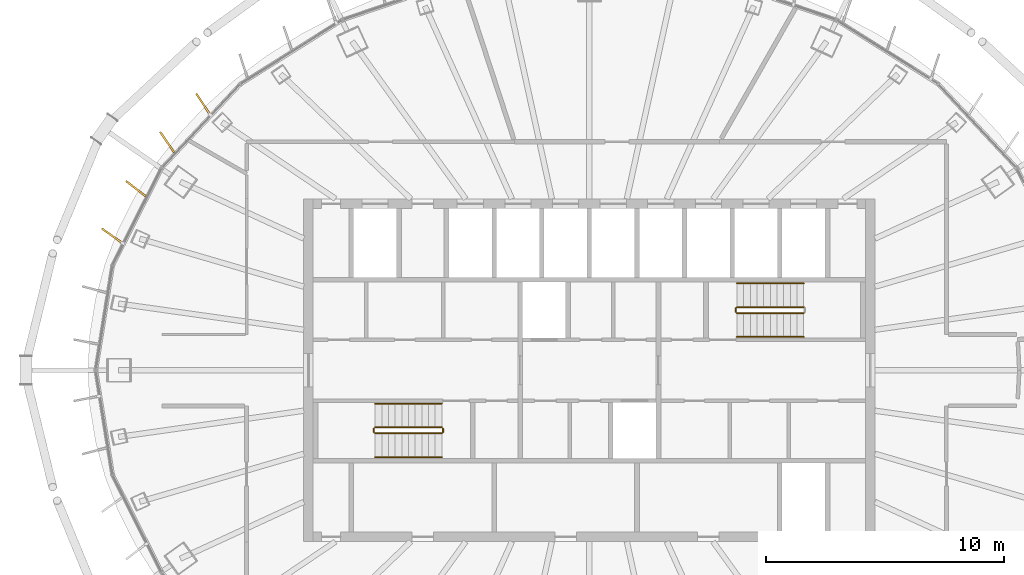
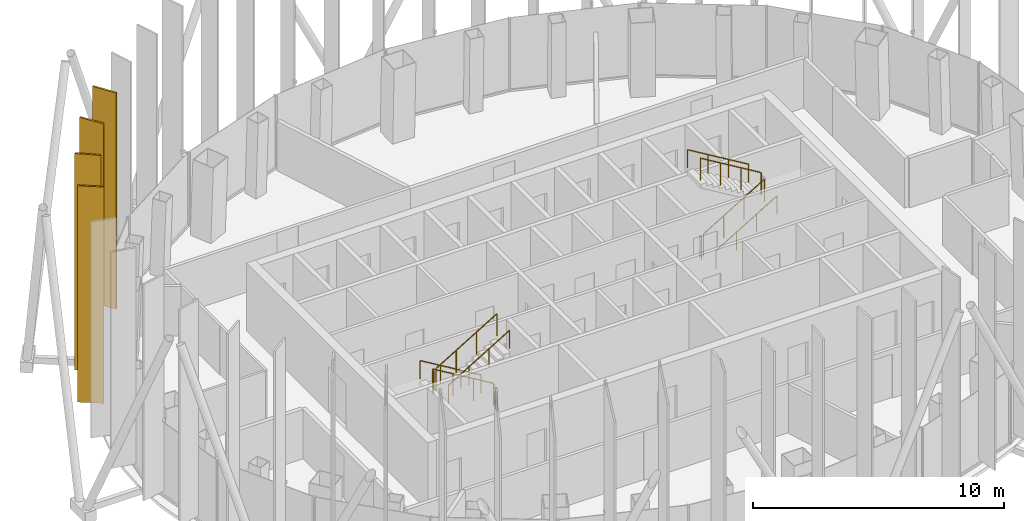
# One storey, part 17 of 19: 11 railings, 4 shading devices.
"""IFC4 building model written with IfcOpenShell, lengths in metres."""

from ifc_helpers import new_model, si_unit, direction, frame, origin, origin_2d, place, context, subcontext, project, spatial, rectangle, circle, extrude, material, layer, layer_set, type_object, element, save


model = new_model("IFC4")

# Units and contexts
model_context = context("Model", 3, precision=1e-05, world=origin(), true_north=direction((0.0, 1.0)))
body_context = subcontext(model_context, "Body", "Model", "MODEL_VIEW")
ifc_project = project(units=[si_unit("LENGTHUNIT", "METRE"), si_unit("AREAUNIT", "SQUARE_METRE"), si_unit("VOLUMEUNIT", "CUBIC_METRE"), si_unit("PLANEANGLEUNIT", "RADIAN"), si_unit("MASSUNIT", "GRAM", prefix="KILO")], contexts=[model_context])

# Site, building, storey
site_placement = place(None, origin())
site = spatial("IfcSite", under=ifc_project, at=site_placement, CompositionType="ELEMENT")
building_placement = place(site_placement, origin())
building = spatial("IfcBuilding", under=site, at=building_placement, Name="Siaravel Broadcast Tower", CompositionType="ELEMENT")
storey_placement = place(building_placement, frame((0.0, 0.0, 250.39990234375)))
storey = spatial("IfcBuildingStorey", under=building, at=storey_placement, Name="L61", CompositionType="ELEMENT", Elevation=250.39990234375)

# Shading devices
ifc_material_1 = material(Name="Bronze anodised aluminium", Category="aluminium")
ifc_layer = layer(ifc_material_1, 0.080078125)
ifc_layer_set = layer_set([ifc_layer], Name="Bronze anodised aluminium")
shading_device_type = type_object("IfcShadingDeviceType", Name="Bronze fin zone 4", PredefinedType="USERDEFINED", material=ifc_layer_set)
for number, where, z_axis, x_axis, name in (
    (1, (-16.22802734375, 11.18701171875, 0.300048828125), (0.0, 0.0, 1.0), (-0.546609208, 0.837387828, 0.0), "Bronze fin L61-22"),
    (2, (-17.73583984375, 9.580810546875, 0.300048828125), (0.0, 0.0, 1.0), (-0.561614141, 0.827399273, 0.0), "Bronze fin L61-23"),
    (3, (-19.04833984375, 7.62744140625, 0.300048828125), (0.0, 0.0, 1.0), (-0.790980122, 0.611841847, 0.0), "Bronze fin L61-24"),
    (4, (-20.05224609375, 5.65087890625, 0.300048828125), (0.0, 0.0, 1.0), (-0.81719721, 0.576358152, 0.0), "Bronze fin L61-25"),
):
    element("IfcShadingDevice", number, at=place(storey_placement, frame(where, z_axis=z_axis, x_axis=x_axis)), inside=storey, type_object=shading_device_type, Name=name, ObjectType="FIN", PredefinedType="USERDEFINED", context=body_context, shape_type="SweptSolid", body=[
        extrude(rectangle(XDim=1.050048828125, YDim=0.080078125, at=origin_2d()), origin(), (0.0, 0.0, 1.0), 10.5),
    ])

# Railings
ifc_material_2 = material(Name="Stainless steel 316L", Category="steel")
railing_type_1 = type_object("IfcRailingType", Name="Stair guard 1100", PredefinedType="GUARDRAIL", material=ifc_material_2)
railing_1_placement = place(storey_placement, frame((-6.199951171875, -2.39990234375, 0.168212890625)))
element("IfcRailing", 5, at=railing_1_placement, inside=storey, type_object=railing_type_1, Name="L61 ST-1 stair guard 1", PredefinedType="GUARDRAIL", context=body_context, shape_type="SweptSolid", body=[
    extrude(circle(Radius=0.02392578125, at=origin_2d()), frame((0.0, 0.0, 1.076171875), z_axis=(-0.857242211, 0.0, 0.514913383), x_axis=(0.0, -1.0, 0.0)), (0.0, 0.0, 1.0), 3.266357421875),
    extrude(circle(Radius=0.02099609375, at=origin_2d()), origin(), (0.0, 0.0, 1.0), 1.052001953125),
    extrude(circle(Radius=0.02099609375, at=origin_2d()), frame((-0.933349609375, 0.0, 0.560546875)), (0.0, 0.0, 1.0), 1.052001953125),
    extrude(circle(Radius=0.02099609375, at=origin_2d()), frame((-1.86669921875, 0.0, 1.121337890625)), (0.0, 0.0, 1.0), 1.052001953125),
    extrude(circle(Radius=0.02099609375, at=origin_2d()), frame((-2.800048828125, 0.0, 1.681884765625)), (0.0, 0.0, 1.0), 1.052001953125),
])
railing_2_placement = place(storey_placement, frame((-9.050048828125, -2.449951171875, 1.85009765625)))
element("IfcRailing", 6, at=railing_2_placement, inside=storey, type_object=railing_type_1, Name="L61 ST-1 stair guard 2", PredefinedType="GUARDRAIL", context=body_context, shape_type="SweptSolid", body=[
    extrude(circle(Radius=0.02392578125, at=origin_2d()), frame((0.0, 0.0, 1.076171875), z_axis=(0.0, -1.0, 0.0), x_axis=(1.0, 0.0, 0.0)), (0.0, 0.0, 1.0), 0.150146484375),
    extrude(circle(Radius=0.02099609375, at=origin_2d()), origin(), (0.0, 0.0, 1.0), 1.052001953125),
    extrude(circle(Radius=0.02099609375, at=origin_2d()), frame((0.0, -0.150146484375, 0.0)), (0.0, 0.0, 1.0), 1.052001953125),
])
railing_3_placement = place(storey_placement, frame((-9.0, -2.64990234375, 2.018310546875)))
element("IfcRailing", 7, at=railing_3_placement, inside=storey, type_object=railing_type_1, Name="L61 ST-1 stair guard 3", PredefinedType="GUARDRAIL", context=body_context, shape_type="SweptSolid", body=[
    extrude(circle(Radius=0.02392578125, at=origin_2d()), frame((0.0, 0.0, 1.076171875), z_axis=(0.857242211, 0.0, 0.514913383), x_axis=(0.0, 1.0, 0.0)), (0.0, 0.0, 1.0), 3.266357421875),
    extrude(circle(Radius=0.02099609375, at=origin_2d()), origin(), (0.0, 0.0, 1.0), 1.052001953125),
    extrude(circle(Radius=0.02099609375, at=origin_2d()), frame((0.933349609375, 0.0, 0.560546875)), (0.0, 0.0, 1.0), 1.052001953125),
    extrude(circle(Radius=0.02099609375, at=origin_2d()), frame((1.86669921875, 0.0, 1.121337890625)), (0.0, 0.0, 1.0), 1.052001953125),
    extrude(circle(Radius=0.02099609375, at=origin_2d()), frame((2.800048828125, 0.0, 1.681884765625)), (0.0, 0.0, 1.0), 1.052001953125),
])
railing_4_placement = place(storey_placement, frame((-6.14990234375, -2.449951171875, 0.0)))
element("IfcRailing", 8, at=railing_4_placement, inside=storey, type_object=railing_type_1, Name="L61 ST-1 stair guard 4", PredefinedType="GUARDRAIL", context=body_context, shape_type="SweptSolid", body=[
    extrude(circle(Radius=0.02392578125, at=origin_2d()), frame((0.0, 0.0, 1.076171875), z_axis=(0.0, -1.0, 0.0), x_axis=(1.0, 0.0, 0.0)), (0.0, 0.0, 1.0), 0.150146484375),
    extrude(circle(Radius=0.02099609375, at=origin_2d()), origin(), (0.0, 0.0, 1.0), 1.052001953125),
    extrude(circle(Radius=0.02099609375, at=origin_2d()), frame((0.0, -0.150146484375, 0.0)), (0.0, 0.0, 1.0), 1.052001953125),
])
railing_5_placement = place(storey_placement, frame((6.199951171875, 2.39990234375, 0.168212890625)))
element("IfcRailing", 9, at=railing_5_placement, inside=storey, type_object=railing_type_1, Name="L61 ST-2 stair guard 1", PredefinedType="GUARDRAIL", context=body_context, shape_type="SweptSolid", body=[
    extrude(circle(Radius=0.02392578125, at=origin_2d()), frame((0.0, 0.0, 1.076171875), z_axis=(0.857242211, 0.0, 0.514913383), x_axis=(0.0, 1.0, 0.0)), (0.0, 0.0, 1.0), 3.266357421875),
    extrude(circle(Radius=0.02099609375, at=origin_2d()), origin(), (0.0, 0.0, 1.0), 1.052001953125),
    extrude(circle(Radius=0.02099609375, at=origin_2d()), frame((0.933349609375, 0.0, 0.560546875)), (0.0, 0.0, 1.0), 1.052001953125),
    extrude(circle(Radius=0.02099609375, at=origin_2d()), frame((1.86669921875, 0.0, 1.121337890625)), (0.0, 0.0, 1.0), 1.052001953125),
    extrude(circle(Radius=0.02099609375, at=origin_2d()), frame((2.800048828125, 0.0, 1.681884765625)), (0.0, 0.0, 1.0), 1.052001953125),
])
railing_6_placement = place(storey_placement, frame((9.0, 2.64990234375, 2.018310546875)))
element("IfcRailing", 10, at=railing_6_placement, inside=storey, type_object=railing_type_1, Name="L61 ST-2 stair guard 3", PredefinedType="GUARDRAIL", context=body_context, shape_type="SweptSolid", body=[
    extrude(circle(Radius=0.02392578125, at=origin_2d()), frame((0.0, 0.0, 1.076171875), z_axis=(-0.857242211, 0.0, 0.514913383), x_axis=(0.0, -1.0, 0.0)), (0.0, 0.0, 1.0), 3.266357421875),
    extrude(circle(Radius=0.02099609375, at=origin_2d()), origin(), (0.0, 0.0, 1.0), 1.052001953125),
    extrude(circle(Radius=0.02099609375, at=origin_2d()), frame((-0.933349609375, 0.0, 0.560546875)), (0.0, 0.0, 1.0), 1.052001953125),
    extrude(circle(Radius=0.02099609375, at=origin_2d()), frame((-1.86669921875, 0.0, 1.121337890625)), (0.0, 0.0, 1.0), 1.052001953125),
    extrude(circle(Radius=0.02099609375, at=origin_2d()), frame((-2.800048828125, 0.0, 1.681884765625)), (0.0, 0.0, 1.0), 1.052001953125),
])
railing_7_placement = place(storey_placement, frame((6.14990234375, 2.449951171875, 0.0)))
element("IfcRailing", 11, at=railing_7_placement, inside=storey, type_object=railing_type_1, Name="L61 ST-2 stair guard 4", PredefinedType="GUARDRAIL", context=body_context, shape_type="SweptSolid", body=[
    extrude(circle(Radius=0.02392578125, at=origin_2d()), frame((0.0, 0.0, 1.076171875), z_axis=(0.0, 1.0, 0.0), x_axis=(-1.0, 0.0, 0.0)), (0.0, 0.0, 1.0), 0.150146484375),
    extrude(circle(Radius=0.02099609375, at=origin_2d()), origin(), (0.0, 0.0, 1.0), 1.052001953125),
    extrude(circle(Radius=0.02099609375, at=origin_2d()), frame((0.0, 0.150146484375, 0.0)), (0.0, 0.0, 1.0), 1.052001953125),
])
railing_type_2 = type_object("IfcRailingType", Name="Stair handrail 900", PredefinedType="HANDRAIL", material=ifc_material_2)
railing_8_placement = place(storey_placement, frame((-6.199951171875, -1.39990234375, 0.168212890625)))
element("IfcRailing", 12, at=railing_8_placement, inside=storey, type_object=railing_type_2, Name="L61 ST-1 stair handrail 1", PredefinedType="HANDRAIL", context=body_context, shape_type="SweptSolid", body=[
    extrude(circle(Radius=0.02392578125, at=origin_2d()), frame((0.0, 0.0, 0.8759765625), z_axis=(-0.857242211, 0.0, 0.514913383), x_axis=(0.0, -1.0, 0.0)), (0.0, 0.0, 1.0), 3.266357421875),
    extrude(circle(Radius=0.02099609375, at=origin_2d()), origin(), (0.0, 0.0, 1.0), 0.851806640625),
    extrude(circle(Radius=0.02099609375, at=origin_2d()), frame((-0.933349609375, 0.0, 0.560546875)), (0.0, 0.0, 1.0), 0.851806640625),
    extrude(circle(Radius=0.02099609375, at=origin_2d()), frame((-1.86669921875, 0.0, 1.121337890625)), (0.0, 0.0, 1.0), 0.851806640625),
    extrude(circle(Radius=0.02099609375, at=origin_2d()), frame((-2.800048828125, 0.0, 1.681884765625)), (0.0, 0.0, 1.0), 0.851806640625),
])
for number, where, name in (
    (13, (-9.0, -3.64990234375, 2.018310546875), "L61 ST-1 stair handrail 2"),
    (14, (6.199951171875, 1.39990234375, 0.168212890625), "L61 ST-2 stair handrail 1"),
):
    element("IfcRailing", number, at=place(storey_placement, frame(where)), inside=storey, type_object=railing_type_2, Name=name, PredefinedType="HANDRAIL", context=body_context, shape_type="SweptSolid", body=[
        extrude(circle(Radius=0.02392578125, at=origin_2d()), frame((0.0, 0.0, 0.8759765625), z_axis=(0.857242211, 0.0, 0.514913383), x_axis=(0.0, 1.0, 0.0)), (0.0, 0.0, 1.0), 3.266357421875),
        extrude(circle(Radius=0.02099609375, at=origin_2d()), origin(), (0.0, 0.0, 1.0), 0.851806640625),
        extrude(circle(Radius=0.02099609375, at=origin_2d()), frame((0.933349609375, 0.0, 0.560546875)), (0.0, 0.0, 1.0), 0.851806640625),
        extrude(circle(Radius=0.02099609375, at=origin_2d()), frame((1.86669921875, 0.0, 1.121337890625)), (0.0, 0.0, 1.0), 0.851806640625),
        extrude(circle(Radius=0.02099609375, at=origin_2d()), frame((2.800048828125, 0.0, 1.681884765625)), (0.0, 0.0, 1.0), 0.851806640625),
    ])
railing_9_placement = place(storey_placement, frame((9.0, 3.64990234375, 2.018310546875)))
element("IfcRailing", 15, at=railing_9_placement, inside=storey, type_object=railing_type_2, Name="L61 ST-2 stair handrail 2", PredefinedType="HANDRAIL", context=body_context, shape_type="SweptSolid", body=[
    extrude(circle(Radius=0.02392578125, at=origin_2d()), frame((0.0, 0.0, 0.8759765625), z_axis=(-0.857242211, 0.0, 0.514913383), x_axis=(0.0, -1.0, 0.0)), (0.0, 0.0, 1.0), 3.266357421875),
    extrude(circle(Radius=0.02099609375, at=origin_2d()), origin(), (0.0, 0.0, 1.0), 0.851806640625),
    extrude(circle(Radius=0.02099609375, at=origin_2d()), frame((-0.933349609375, 0.0, 0.560546875)), (0.0, 0.0, 1.0), 0.851806640625),
    extrude(circle(Radius=0.02099609375, at=origin_2d()), frame((-1.86669921875, 0.0, 1.121337890625)), (0.0, 0.0, 1.0), 0.851806640625),
    extrude(circle(Radius=0.02099609375, at=origin_2d()), frame((-2.800048828125, 0.0, 1.681884765625)), (0.0, 0.0, 1.0), 0.851806640625),
])

save(model, "model.ifc")
